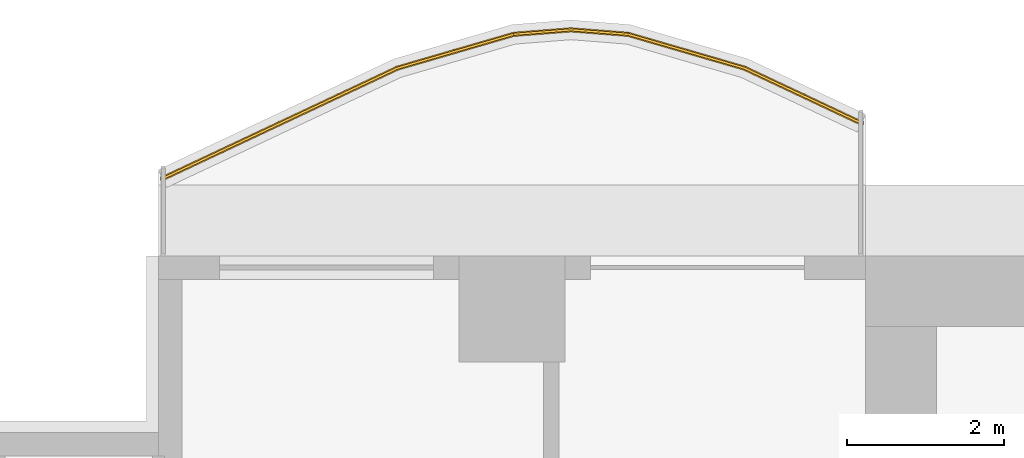
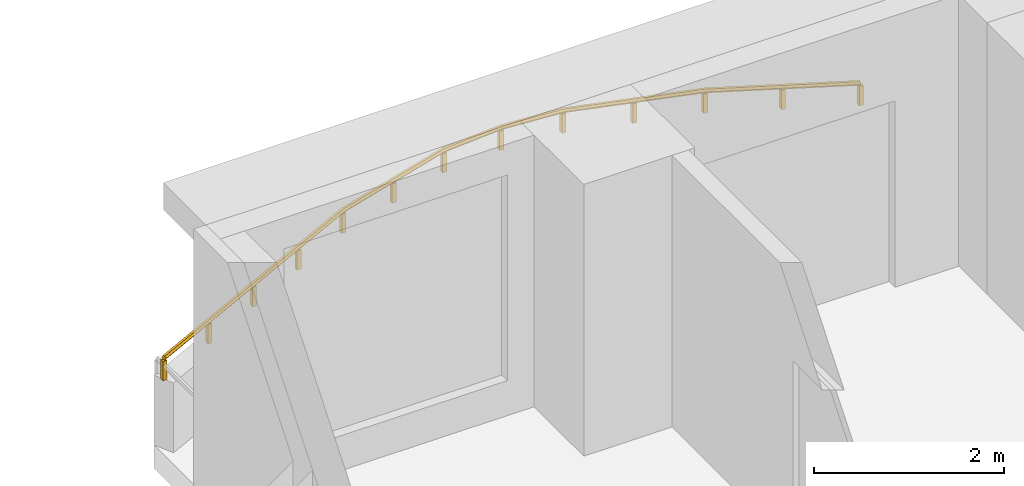
# One storey, part 12 of 13: 1 railing.
"""IFC4 building model written with IfcOpenShell, lengths in metres."""

from ifc_helpers import new_model, si_unit, direction, frame, origin, origin_2d, place, context, subcontext, project, spatial, polyline, rectangle, outline, extrude, material, type_object, element, save


model = new_model("IFC4")

# Units and contexts
model_context = context("Model", 3, precision=1e-05, world=origin(), true_north=direction((0.0, 1.0)))
body_context = subcontext(model_context, "Body", "Model", "MODEL_VIEW")
ifc_project = project(units=[si_unit("LENGTHUNIT", "METRE"), si_unit("AREAUNIT", "SQUARE_METRE"), si_unit("VOLUMEUNIT", "CUBIC_METRE"), si_unit("PLANEANGLEUNIT", "RADIAN"), si_unit("MASSUNIT", "GRAM", prefix="KILO")], contexts=[model_context])

# Site, building, storey
site_placement = place(None, origin())
site = spatial("IfcSite", under=ifc_project, at=site_placement, CompositionType="ELEMENT")
building_placement = place(site_placement, origin())
building = spatial("IfcBuilding", under=site, at=building_placement, Name="Orbiselva Terraces", CompositionType="ELEMENT")
storey_placement = place(building_placement, frame((0.0, 0.0, 77.0)))
storey = spatial("IfcBuildingStorey", under=building, at=storey_placement, Name="L19", CompositionType="ELEMENT", Elevation=77.0)

# Railing
ifc_material = material(Name="Bonded two-ply safety glass balustrade, stainless steel posts", Category="steel")
railing_type = type_object("IfcRailingType", Name="ENV-BALUSTRADE-1200", PredefinedType="BALUSTRADE", material=ifc_material)
railing_placement = place(storey_placement, frame((-13.553191, 24.186882, 0.9)))
element("IfcRailing", 1, at=railing_placement, inside=storey, type_object=railing_type, Name="Balcony balustrade L19 NW", PredefinedType="BALUSTRADE", context=body_context, shape_type="SweptSolid", body=[
    extrude(outline(polyline([(0.028868, 0.0), (0.014434, 0.025), (-0.014434, 0.025), (-0.028868, 0.0), (-0.014434, -0.025), (0.014434, -0.025), (0.028868, 0.0)])), frame((0.0, 0.0, 0.275), z_axis=(-0.904944359461, 0.425529912322, 0.0), x_axis=(-0.425529912322, -0.904944359461, 0.0)), (0.0, 0.0, 1.0), 1.647746),
    extrude(outline(polyline([(0.028868, 0.0), (0.014434, 0.025), (-0.014434, 0.025), (-0.028868, 0.0), (-0.014434, -0.025), (0.014434, -0.025), (0.028868, 0.0)])), frame((-1.491118, 0.701165, 0.275), z_axis=(-0.960270317007, 0.279071528957, 0.0), x_axis=(-0.279071528957, -0.960270317007, 0.0)), (0.0, 0.0, 1.0), 1.539408),
    extrude(outline(polyline([(0.028868, 0.0), (0.014434, 0.025), (-0.014434, 0.025), (-0.028868, 0.0), (-0.014434, -0.025), (0.014434, -0.025), (0.028868, 0.0)])), frame((-2.969366, 1.13077, 0.275), z_axis=(-0.996947916106, 0.078069536776, 0.0), x_axis=(-0.078069536776, -0.996947916106, 0.0)), (0.0, 0.0, 1.0), 0.72967),
    extrude(outline(polyline([(0.028868, 0.0), (0.014434, 0.025), (-0.014434, 0.025), (-0.028868, 0.0), (-0.014434, -0.025), (0.014434, -0.025), (0.028868, 0.0)])), frame((-3.696809, 1.187735, 0.275), z_axis=(-0.996947916106, -0.078069536776, 0.0), x_axis=(0.078069536776, -0.996947916106, 0.0)), (0.0, 0.0, 1.0), 0.72967),
    extrude(outline(polyline([(0.028868, 0.0), (0.014434, 0.025), (-0.014434, 0.025), (-0.028868, 0.0), (-0.014434, -0.025), (0.014434, -0.025), (0.028868, 0.0)])), frame((-4.424252, 1.13077, 0.275), z_axis=(-0.960270317007, -0.279071528957, 0.0), x_axis=(0.279071528957, -0.960270317007, 0.0)), (0.0, 0.0, 1.0), 1.539408),
    extrude(outline(polyline([(0.028868, 0.0), (0.014434, 0.025), (-0.014434, 0.025), (-0.028868, 0.0), (-0.014434, -0.025), (0.014434, -0.025), (0.028868, 0.0)])), frame((-5.9025, 0.701165, 0.275), z_axis=(-0.904944359461, -0.425529912322, 0.0), x_axis=(0.425529912322, -0.904944359461, 0.0)), (0.0, 0.0, 1.0), 1.647746),
    extrude(outline(polyline([(0.028868, 0.0), (0.014434, 0.025), (-0.014434, 0.025), (-0.028868, 0.0), (-0.014434, -0.025), (0.014434, -0.025), (0.028868, 0.0)])), frame((-7.393618, 0.0, 0.275), z_axis=(-0.904944257823, -0.425530128467, 0.0), x_axis=(0.425530128467, -0.904944257823, 0.0)), (0.0, 0.0, 1.0), 1.657561),
    extrude(rectangle(XDim=0.05, YDim=0.05, at=origin_2d()), origin(), (0.0, 0.0, 1.0), 0.25),
    extrude(rectangle(XDim=0.05, YDim=0.05, at=origin_2d()), frame((-0.745559, 0.350582, 0.0)), (0.0, 0.0, 1.0), 0.25),
    extrude(rectangle(XDim=0.05, YDim=0.05, at=origin_2d()), frame((-1.491118, 0.701165, 0.0)), (0.0, 0.0, 1.0), 0.25),
    extrude(rectangle(XDim=0.05, YDim=0.05, at=origin_2d()), frame((-2.230242, 0.915967, 0.0)), (0.0, 0.0, 1.0), 0.25),
    extrude(rectangle(XDim=0.05, YDim=0.05, at=origin_2d()), frame((-2.969366, 1.13077, 0.0)), (0.0, 0.0, 1.0), 0.25),
    extrude(rectangle(XDim=0.05, YDim=0.05, at=origin_2d()), frame((-3.696809, 1.187735, 0.0)), (0.0, 0.0, 1.0), 0.25),
    extrude(rectangle(XDim=0.05, YDim=0.05, at=origin_2d()), frame((-4.424252, 1.13077, 0.0)), (0.0, 0.0, 1.0), 0.25),
    extrude(rectangle(XDim=0.05, YDim=0.05, at=origin_2d()), frame((-5.163376, 0.915967, 0.0)), (0.0, 0.0, 1.0), 0.25),
    extrude(rectangle(XDim=0.05, YDim=0.05, at=origin_2d()), frame((-5.9025, 0.701165, 0.0)), (0.0, 0.0, 1.0), 0.25),
    extrude(rectangle(XDim=0.05, YDim=0.05, at=origin_2d()), frame((-6.648059, 0.350582, 0.0)), (0.0, 0.0, 1.0), 0.25),
    extrude(rectangle(XDim=0.05, YDim=0.05, at=origin_2d()), frame((-7.393618, 0.0, 0.0)), (0.0, 0.0, 1.0), 0.25),
    extrude(rectangle(XDim=0.05, YDim=0.05, at=origin_2d()), frame((-8.143618, -0.352671, 0.0)), (0.0, 0.0, 1.0), 0.25),
    extrude(rectangle(XDim=0.05, YDim=0.05, at=origin_2d()), frame((-8.893618, -0.705342, 0.0)), (0.0, 0.0, 1.0), 0.25),
])

save(model, "model.ifc")
